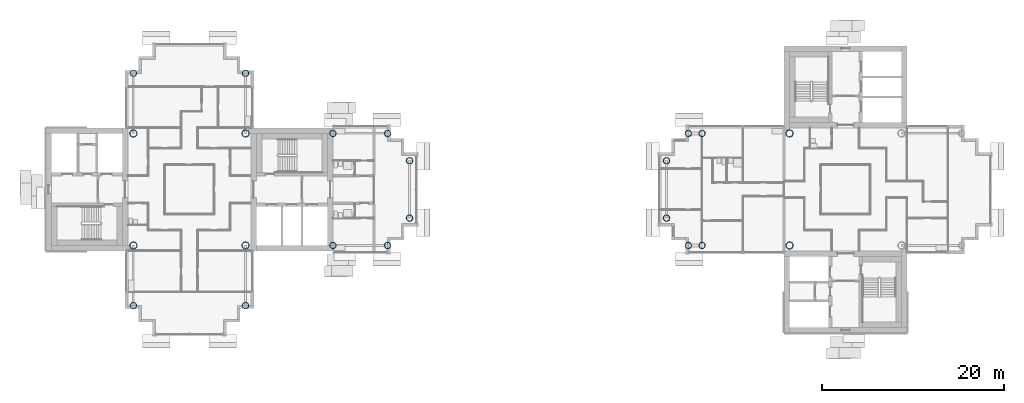
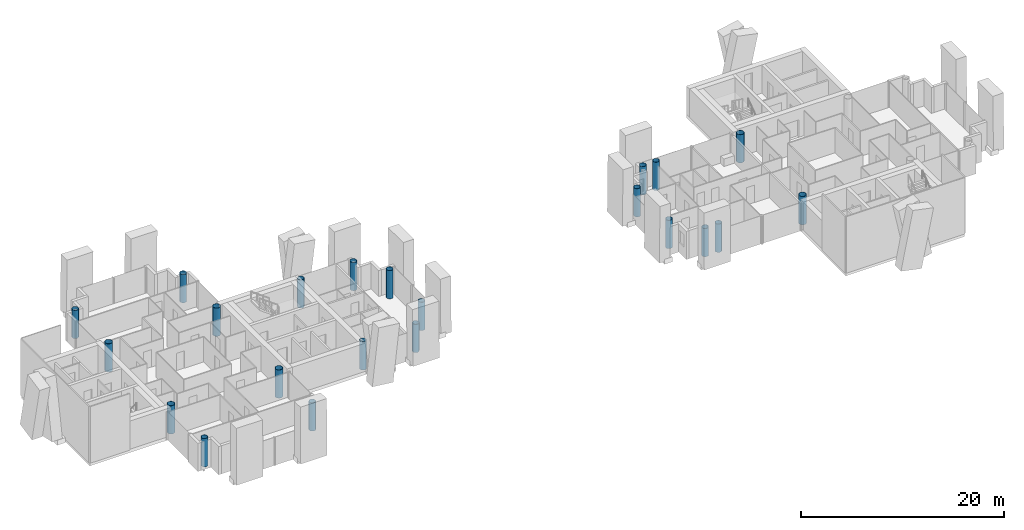
# One storey, part 1 of 18: 22 columns.
"""IFC4 building model written with IfcOpenShell, lengths in metres."""

from ifc_helpers import new_model, si_unit, direction, frame, origin, origin_2d, place, context, subcontext, project, spatial, hollow_circle, extrude, material, material_profile, profile_set, type_object, element, save


model = new_model("IFC4")

# Units and contexts
model_context = context("Model", 3, precision=1e-05, world=origin(), true_north=direction((0.0, 1.0)))
body_context = subcontext(model_context, "Body", "Model", "MODEL_VIEW")
ifc_project = project(units=[si_unit("LENGTHUNIT", "METRE"), si_unit("AREAUNIT", "SQUARE_METRE"), si_unit("VOLUMEUNIT", "CUBIC_METRE"), si_unit("PLANEANGLEUNIT", "RADIAN"), si_unit("MASSUNIT", "GRAM", prefix="KILO")], contexts=[model_context])

# Site, building, storey
site_placement = place(None, origin())
site = spatial("IfcSite", under=ifc_project, at=site_placement, CompositionType="ELEMENT")
building_placement = place(site_placement, origin())
building = spatial("IfcBuilding", under=site, at=building_placement, Name="Ipe Terrace Towers", CompositionType="ELEMENT")
storey_placement = place(building_placement, frame((0.0, 0.0, 202.800048828125)))
storey = spatial("IfcBuildingStorey", under=building, at=storey_placement, Name="L56", CompositionType="ELEMENT", Elevation=202.800048828125)

# Columns
ifc_material_1 = material(Name="Steel S355 tube with Concrete C60/75 fill", Category="concrete")
ifc_material_profile_1 = material_profile(ifc_material_1, hollow_circle(Radius=0.35009765625, WallThickness=0.02490234375, at=origin_2d()), Name="CHS-700x25")
ifc_profile_set_1 = profile_set([ifc_material_profile_1], Name="Steel S355 tube with Concrete C60/75 fill")
column_type_1 = type_object("IfcColumnType", Name="CH08 COLUMN CHS-700x25", PredefinedType="COLUMN", material=ifc_profile_set_1)
for number, where, z_axis, x_axis, name in (
    (1, (-20.25, -6.14990234375, 0.0), (0.0, 0.0, 1.0), (1.0, 0.0, 0.0), "Column T1-C-A01"),
    (2, (-20.25, 6.14990234375, 0.0), (0.0, 0.0, 1.0), (1.0, 0.0, 0.0), "Column T1-C-A02"),
    (3, (-14.25, -6.14990234375, 0.0), (0.0, 0.0, 1.0), (1.0, 0.0, 0.0), "Column T1-C-A03"),
    (4, (-14.25, 6.14990234375, 0.0), (0.0, 0.0, 1.0), (1.0, 0.0, 0.0), "Column T1-C-A04"),
    (5, (-11.85009765625, -3.14990234375, 0.0), (0.0, 0.0, 1.0), (1.0, 0.0, 0.0), "Column T1-C-A05"),
    (6, (-11.85009765625, 3.14990234375, 0.0), (0.0, 0.0, 1.0), (1.0, 0.0, 0.0), "Column T1-C-A06"),
    (7, (-29.85009765625, 12.75, 0.0), (0.0, 0.0, 1.0), (1.0, 0.0, 0.0), "Column T1-C-B01"),
    (8, (-42.14990234375, 12.75, 0.0), (0.0, 0.0, 1.0), (1.0, 0.0, 0.0), "Column T1-C-B02"),
    (9, (-42.14990234375, -12.75, 0.0), (0.0, 0.0, 1.0), (1.0, 0.0, 0.0), "Column T1-C-D01"),
    (10, (-29.85009765625, -12.75, 0.0), (0.0, 0.0, 1.0), (1.0, 0.0, 0.0), "Column T1-C-D02"),
    (11, (20.25, 6.14990234375, 0.0), (0.0, 0.0, 1.0), (1.0, 0.0, 0.0), "Column T2-C-B03"),
    (12, (20.25, -6.14990234375, 0.0), (0.0, 0.0, 1.0), (1.0, 0.0, 0.0), "Column T2-C-B04"),
    (13, (18.75, 6.14990234375, 0.0), (0.0, 0.0, 1.0), (1.0, 0.0, 0.0), "Column T2-C-B05"),
    (14, (18.75, -6.14990234375, 0.0), (0.0, 0.0, 1.0), (1.0, 0.0, 0.0), "Column T2-C-B06"),
    (15, (16.35009765625, 3.14990234375, 0.0), (0.0, 0.0, 1.0), (1.0, 0.0, 0.0), "Column T2-C-B07"),
    (16, (16.35009765625, -3.14990234375, 0.0), (0.0, 0.0, 1.0), (1.0, 0.0, 0.0), "Column T2-C-B08"),
):
    element("IfcColumn", number, at=place(storey_placement, frame(where, z_axis=z_axis, x_axis=x_axis)), inside=storey, type_object=column_type_1, Name=name, PredefinedType="COLUMN", context=body_context, shape_type="SweptSolid", body=[
        extrude(hollow_circle(Radius=0.35009765625, WallThickness=0.02490234375, at=origin_2d()), origin(), (0.0, 0.0, 1.0), 3.39990234375),
    ])
ifc_material_2 = material(Name="Steel S355 tube with Concrete C60/75 fill", Category="concrete")
ifc_material_profile_2 = material_profile(ifc_material_2, hollow_circle(Radius=0.39990234375, WallThickness=0.028076171875, at=origin_2d()), Name="CHS-800x28")
ifc_profile_set_2 = profile_set([ifc_material_profile_2], Name="Steel S355 tube with Concrete C60/75 fill")
column_type_2 = type_object("IfcColumnType", Name="CH09 COLUMN CHS-800x28", PredefinedType="COLUMN", material=ifc_profile_set_2)
for number, where, z_axis, x_axis, name in (
    (17, (-42.14990234375, -6.14990234375, 0.0), (0.0, 0.0, 1.0), (1.0, 0.0, 0.0), "Column T1-C-E01"),
    (18, (-29.85009765625, -6.14990234375, 0.0), (0.0, 0.0, 1.0), (1.0, 0.0, 0.0), "Column T1-C-E02"),
    (19, (-29.85009765625, 6.14990234375, 0.0), (0.0, 0.0, 1.0), (1.0, 0.0, 0.0), "Column T1-C-E03"),
    (20, (-42.14990234375, 6.14990234375, 0.0), (0.0, 0.0, 1.0), (1.0, 0.0, 0.0), "Column T1-C-E04"),
    (21, (29.85009765625, 6.14990234375, 0.0), (0.0, 0.0, 1.0), (1.0, 0.0, 0.0), "Column T2-C-E03"),
    (22, (29.85009765625, -6.14990234375, 0.0), (0.0, 0.0, 1.0), (1.0, 0.0, 0.0), "Column T2-C-E04"),
):
    element("IfcColumn", number, at=place(storey_placement, frame(where, z_axis=z_axis, x_axis=x_axis)), inside=storey, type_object=column_type_2, Name=name, PredefinedType="COLUMN", context=body_context, shape_type="SweptSolid", body=[
        extrude(hollow_circle(Radius=0.39990234375, WallThickness=0.028076171875, at=origin_2d()), origin(), (0.0, 0.0, 1.0), 3.39990234375),
    ])

save(model, "model.ifc")
